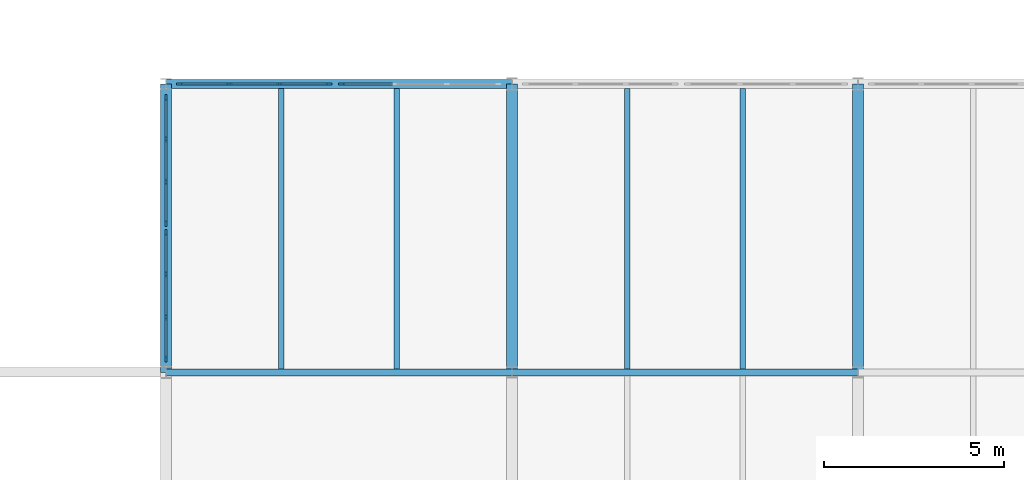
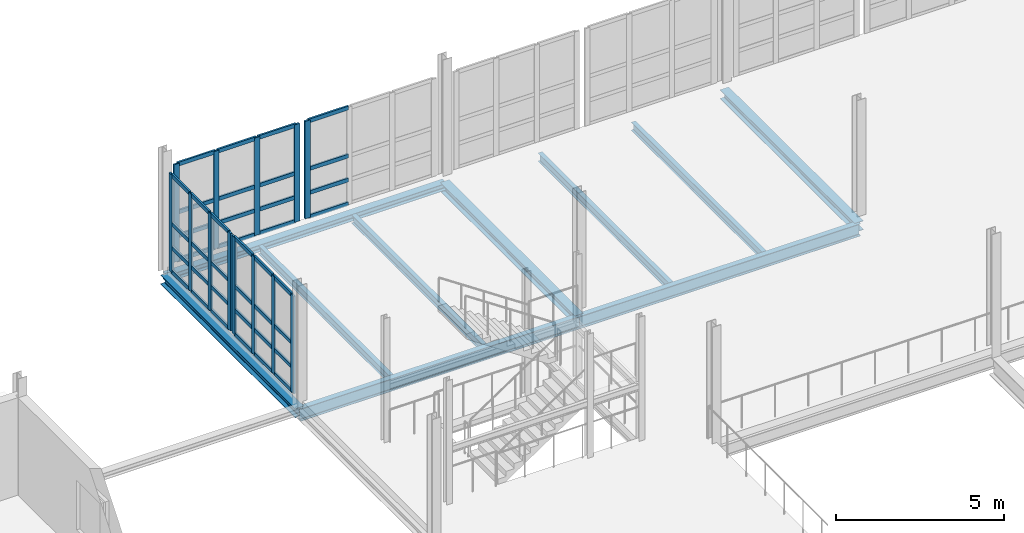
# One storey, part 33 of 73: 53 members, 10 beams, 4 elements without a shape of their own.
"""IFC4 building model written with IfcOpenShell, lengths in metres."""

from ifc_helpers import new_model, si_unit, direction, frame, origin, origin_2d, place, context, subcontext, project, spatial, rectangle, i_section, extrude, material, layer, layer_set, material_profile, profile_set, type_object, element, aggregate, save


model = new_model("IFC4")

# Units and contexts
model_context = context("Model", 3, precision=1e-05, world=origin(), true_north=direction((0.0, 1.0)))
body_context = subcontext(model_context, "Body", "Model", "MODEL_VIEW")
ifc_project = project(units=[si_unit("LENGTHUNIT", "METRE"), si_unit("AREAUNIT", "SQUARE_METRE"), si_unit("VOLUMEUNIT", "CUBIC_METRE"), si_unit("PLANEANGLEUNIT", "RADIAN"), si_unit("MASSUNIT", "GRAM", prefix="KILO")], contexts=[model_context])

# Site, building, storey
site_placement = place(None, origin())
site = spatial("IfcSite", under=ifc_project, at=site_placement, CompositionType="ELEMENT")
building_placement = place(site_placement, origin())
building = spatial("IfcBuilding", under=site, at=building_placement, Name="Alderhovde Museum", CompositionType="ELEMENT")
storey_placement = place(building_placement, frame((0.0, 0.0, 12.89990234375)))
storey = spatial("IfcBuildingStorey", under=building, at=storey_placement, Name="L03", CompositionType="ELEMENT", Elevation=12.89990234375)

# Beams
ifc_material_1 = material(Name="Steel S355J2", Category="steel")
ifc_material_profile_1 = material_profile(ifc_material_1, i_section(OverallWidth=0.300048828125, OverallDepth=0.330078125, WebThickness=0.009521484375, FlangeThickness=0.0166015625, FilletRadius=0.027099609375, at=origin_2d()), Name="HEA 340")
ifc_profile_set_1 = profile_set([ifc_material_profile_1], Name="Steel S355J2")
beam_type_1 = type_object("IfcBeamType", Name="BM-HEA340", PredefinedType="BEAM", material=ifc_profile_set_1)
for number, where, z_axis, x_axis, name in (
    (1, (76.800048828125, 80.0, -0.48486328125), (0.0, 1.0, 0.0), (-1.0, 0.0, 0.0), "L03 Grid Beam X=76.8 (80.0 TO 88.0)"),
    (2, (86.39990234375, 80.0, -0.48486328125), (0.0, 1.0, 0.0), (-1.0, 0.0, 0.0), "L03 Grid Beam X=86.4 (80.0 TO 88.0)"),
    (3, (96.0, 80.0, -0.48486328125), (0.0, 1.0, 0.0), (-1.0, 0.0, 0.0), "L03 Grid Beam X=96.0 (80.0 TO 88.0)"),
):
    element("IfcBeam", number, at=place(storey_placement, frame(where, z_axis=z_axis, x_axis=x_axis)), inside=storey, type_object=beam_type_1, Name=name, PredefinedType="BEAM", context=body_context, shape_type="SweptSolid", body=[
        extrude(i_section(OverallWidth=0.300048828125, OverallDepth=0.330078125, WebThickness=0.009521484375, FlangeThickness=0.0166015625, FilletRadius=0.027099609375, at=origin_2d()), origin(), (0.0, 0.0, 1.0), 8.0),
    ])
ifc_material_2 = material(Name="Steel S355J2", Category="steel")
ifc_material_profile_2 = material_profile(ifc_material_2, i_section(OverallWidth=0.18994140625, OverallDepth=0.449951171875, WebThickness=0.009521484375, FlangeThickness=0.0146484375, FilletRadius=0.02099609375, at=origin_2d()), Name="IPE 450")
ifc_profile_set_2 = profile_set([ifc_material_profile_2], Name="Steel S355J2")
beam_type_2 = type_object("IfcBeamType", Name="BM-IPE450", PredefinedType="BEAM", material=ifc_profile_set_2)
beam_1_placement = place(storey_placement, frame((76.800048828125, 80.0, -0.544921875), z_axis=(1.0, 0.0, 0.0), x_axis=(0.0, 1.0, 0.0)))
element("IfcBeam", 4, at=beam_1_placement, inside=storey, type_object=beam_type_2, Name="L03 Grid Beam Y=80.0 (76.8 TO 86.4)", PredefinedType="BEAM", context=body_context, shape_type="SweptSolid", body=[
    extrude(i_section(OverallWidth=0.18994140625, OverallDepth=0.449951171875, WebThickness=0.009521484375, FlangeThickness=0.0146484375, FilletRadius=0.02099609375, at=origin_2d()), origin(), (0.0, 0.0, 1.0), 9.599853515625),
])
beam_2_placement = place(storey_placement, frame((86.39990234375, 80.0, -0.544921875), z_axis=(1.0, 0.0, 0.0), x_axis=(0.0, 1.0, 0.0)))
element("IfcBeam", 5, at=beam_2_placement, inside=storey, type_object=beam_type_2, Name="L03 Grid Beam Y=80.0 (86.4 TO 96.0)", PredefinedType="BEAM", context=body_context, shape_type="SweptSolid", body=[
    extrude(i_section(OverallWidth=0.18994140625, OverallDepth=0.449951171875, WebThickness=0.009521484375, FlangeThickness=0.0146484375, FilletRadius=0.02099609375, at=origin_2d()), origin(), (0.0, 0.0, 1.0), 9.60009765625),
])

# Curtain wall, members
ifc_material_3 = material(Name="Triple-Glazed Bronze-Anodised Curtain Wall", Category="glass")
ifc_layer_1 = layer(ifc_material_3, 0.179931640625)
ifc_layer_set_1 = layer_set([ifc_layer_1], Name="Triple-Glazed Bronze-Anodised Curtain Wall")
curtain_wall_type_1 = type_object("IfcCurtainWallType", Name="CW-UNIT-420x354", PredefinedType="USERDEFINED", material=ifc_layer_set_1)
curtain_wall_1_placement = place(storey_placement, origin())
curtain_wall_1 = element("IfcCurtainWall", 6, at=curtain_wall_1_placement, inside=storey, type_object=curtain_wall_type_1, Name="L03 Unitised Curtain Wall 48", ObjectType="UNITISED CURTAIN WALL", PredefinedType="USERDEFINED")
ifc_material_4 = material(Name="Bronze-Anodised Aluminium EN AW-6063-T6", Category="aluminium")
ifc_material_profile_3 = material_profile(ifc_material_4, rectangle(XDim=0.06494140625, YDim=0.179931640625, at=origin_2d()), Name="MULLION 65x180")
ifc_profile_set_3 = profile_set([ifc_material_profile_3], Name="Bronze-Anodised Aluminium EN AW-6063-T6")
member_type_1 = type_object("IfcMemberType", Name="CWM-65x180", PredefinedType="MULLION", material=ifc_profile_set_3)
member_1_placement = place(storey_placement, frame((77.1826171875, 88.0, 0.0), z_axis=(0.0, 0.0, 1.0), x_axis=(0.0, 1.0, 0.0)))
member_1 = element("IfcMember", 7, at=member_1_placement, type_object=member_type_1, Name="CW15 mullion 1", PredefinedType="MULLION", context=body_context, shape_type="SweptSolid", body=[
    extrude(rectangle(XDim=0.06494140625, YDim=0.179931640625, at=origin_2d()), origin(), (0.0, 0.0, 1.0), 3.5400390625),
])
member_2_placement = place(storey_placement, frame((78.550048828125, 88.0, 0.0), z_axis=(0.0, 0.0, 1.0), x_axis=(0.0, 1.0, 0.0)))
member_2 = element("IfcMember", 8, at=member_2_placement, type_object=member_type_1, Name="CW15 mullion 2", PredefinedType="MULLION", context=body_context, shape_type="SweptSolid", body=[
    extrude(rectangle(XDim=0.06494140625, YDim=0.179931640625, at=origin_2d()), origin(), (0.0, 0.0, 1.0), 3.5400390625),
])
member_3_placement = place(storey_placement, frame((79.949951171875, 88.0, 0.0), z_axis=(0.0, 0.0, 1.0), x_axis=(0.0, 1.0, 0.0)))
member_3 = element("IfcMember", 9, at=member_3_placement, type_object=member_type_1, Name="CW15 mullion 3", PredefinedType="MULLION", context=body_context, shape_type="SweptSolid", body=[
    extrude(rectangle(XDim=0.06494140625, YDim=0.179931640625, at=origin_2d()), origin(), (0.0, 0.0, 1.0), 3.5400390625),
])
member_4_placement = place(storey_placement, frame((81.3173828125, 88.0, 0.0), z_axis=(0.0, 0.0, 1.0), x_axis=(0.0, 1.0, 0.0)))
member_4 = element("IfcMember", 10, at=member_4_placement, type_object=member_type_1, Name="CW15 mullion 4", PredefinedType="MULLION", context=body_context, shape_type="SweptSolid", body=[
    extrude(rectangle(XDim=0.06494140625, YDim=0.179931640625, at=origin_2d()), origin(), (0.0, 0.0, 1.0), 3.5400390625),
])

# Curtain wall, member
ifc_material_5 = material(Name="Triple-Glazed Bronze-Anodised Curtain Wall", Category="glass")
ifc_layer_2 = layer(ifc_material_5, 0.179931640625)
ifc_layer_set_2 = layer_set([ifc_layer_2], Name="Triple-Glazed Bronze-Anodised Curtain Wall")
curtain_wall_type_2 = type_object("IfcCurtainWallType", Name="CW-UNIT-440x354", PredefinedType="USERDEFINED", material=ifc_layer_set_2)
curtain_wall_2_placement = place(storey_placement, origin())
curtain_wall_2 = element("IfcCurtainWall", 11, at=curtain_wall_2_placement, inside=storey, type_object=curtain_wall_type_2, Name="L03 Unitised Curtain Wall 49", ObjectType="UNITISED CURTAIN WALL", PredefinedType="USERDEFINED")
member_5_placement = place(storey_placement, frame((81.6826171875, 88.0, 0.0), z_axis=(0.0, 0.0, 1.0), x_axis=(0.0, 1.0, 0.0)))
member_5 = element("IfcMember", 12, at=member_5_placement, type_object=member_type_1, Name="CW16 mullion 1", PredefinedType="MULLION", context=body_context, shape_type="SweptSolid", body=[
    extrude(rectangle(XDim=0.06494140625, YDim=0.179931640625, at=origin_2d()), origin(), (0.0, 0.0, 1.0), 3.5400390625),
])

# Curtain wall, members
ifc_material_6 = material(Name="Triple-Glazed Bronze-Anodised Curtain Wall", Category="glass")
ifc_layer_3 = layer(ifc_material_6, 0.179931640625)
ifc_layer_set_3 = layer_set([ifc_layer_3], Name="Triple-Glazed Bronze-Anodised Curtain Wall")
curtain_wall_type_3 = type_object("IfcCurtainWallType", Name="CW-STIC-355x354", PredefinedType="USERDEFINED", material=ifc_layer_set_3)
curtain_wall_3_placement = place(storey_placement, origin())
curtain_wall_3 = element("IfcCurtainWall", 13, at=curtain_wall_3_placement, inside=storey, type_object=curtain_wall_type_3, Name="L03 Stick Curtain Wall 66", ObjectType="STICK CURTAIN WALL", PredefinedType="USERDEFINED")
member_6_placement = place(storey_placement, frame((76.800048828125, 80.382568359375, 0.0), z_axis=(0.0, 0.0, 1.0), x_axis=(-1.0, 0.0, 0.0)))
member_6 = element("IfcMember", 14, at=member_6_placement, type_object=member_type_1, Name="CW18 mullion 1", PredefinedType="MULLION", context=body_context, shape_type="SweptSolid", body=[
    extrude(rectangle(XDim=0.06494140625, YDim=0.179931640625, at=origin_2d()), origin(), (0.0, 0.0, 1.0), 3.5400390625),
])
member_7_placement = place(storey_placement, frame((76.800048828125, 81.533447265625, 0.0), z_axis=(0.0, 0.0, 1.0), x_axis=(-1.0, 0.0, 0.0)))
member_7 = element("IfcMember", 15, at=member_7_placement, type_object=member_type_1, Name="CW18 mullion 2", PredefinedType="MULLION", context=body_context, shape_type="SweptSolid", body=[
    extrude(rectangle(XDim=0.06494140625, YDim=0.179931640625, at=origin_2d()), origin(), (0.0, 0.0, 1.0), 3.5400390625),
])
member_8_placement = place(storey_placement, frame((76.800048828125, 82.716552734375, 0.0), z_axis=(0.0, 0.0, 1.0), x_axis=(-1.0, 0.0, 0.0)))
member_8 = element("IfcMember", 16, at=member_8_placement, type_object=member_type_1, Name="CW18 mullion 3", PredefinedType="MULLION", context=body_context, shape_type="SweptSolid", body=[
    extrude(rectangle(XDim=0.06494140625, YDim=0.179931640625, at=origin_2d()), origin(), (0.0, 0.0, 1.0), 3.5400390625),
])
member_9_placement = place(storey_placement, frame((76.800048828125, 83.867431640625, 0.0), z_axis=(0.0, 0.0, 1.0), x_axis=(-1.0, 0.0, 0.0)))
member_9 = element("IfcMember", 17, at=member_9_placement, type_object=member_type_1, Name="CW18 mullion 4", PredefinedType="MULLION", context=body_context, shape_type="SweptSolid", body=[
    extrude(rectangle(XDim=0.06494140625, YDim=0.179931640625, at=origin_2d()), origin(), (0.0, 0.0, 1.0), 3.5400390625),
])

curtain_wall_4_placement = place(storey_placement, origin())
curtain_wall_4 = element("IfcCurtainWall", 18, at=curtain_wall_4_placement, inside=storey, type_object=curtain_wall_type_3, Name="L03 Stick Curtain Wall 67", ObjectType="STICK CURTAIN WALL", PredefinedType="USERDEFINED")
member_10_placement = place(storey_placement, frame((76.800048828125, 84.132568359375, 0.0), z_axis=(0.0, 0.0, 1.0), x_axis=(-1.0, 0.0, 0.0)))
member_10 = element("IfcMember", 19, at=member_10_placement, type_object=member_type_1, Name="CW18 mullion 1", PredefinedType="MULLION", context=body_context, shape_type="SweptSolid", body=[
    extrude(rectangle(XDim=0.06494140625, YDim=0.179931640625, at=origin_2d()), origin(), (0.0, 0.0, 1.0), 3.5400390625),
])
member_11_placement = place(storey_placement, frame((76.800048828125, 85.283447265625, 0.0), z_axis=(0.0, 0.0, 1.0), x_axis=(-1.0, 0.0, 0.0)))
member_11 = element("IfcMember", 20, at=member_11_placement, type_object=member_type_1, Name="CW18 mullion 2", PredefinedType="MULLION", context=body_context, shape_type="SweptSolid", body=[
    extrude(rectangle(XDim=0.06494140625, YDim=0.179931640625, at=origin_2d()), origin(), (0.0, 0.0, 1.0), 3.5400390625),
])
member_12_placement = place(storey_placement, frame((76.800048828125, 86.466552734375, 0.0), z_axis=(0.0, 0.0, 1.0), x_axis=(-1.0, 0.0, 0.0)))
member_12 = element("IfcMember", 21, at=member_12_placement, type_object=member_type_1, Name="CW18 mullion 3", PredefinedType="MULLION", context=body_context, shape_type="SweptSolid", body=[
    extrude(rectangle(XDim=0.06494140625, YDim=0.179931640625, at=origin_2d()), origin(), (0.0, 0.0, 1.0), 3.5400390625),
])
member_13_placement = place(storey_placement, frame((76.800048828125, 87.617431640625, 0.0), z_axis=(0.0, 0.0, 1.0), x_axis=(-1.0, 0.0, 0.0)))
member_13 = element("IfcMember", 22, at=member_13_placement, type_object=member_type_1, Name="CW18 mullion 4", PredefinedType="MULLION", context=body_context, shape_type="SweptSolid", body=[
    extrude(rectangle(XDim=0.06494140625, YDim=0.179931640625, at=origin_2d()), origin(), (0.0, 0.0, 1.0), 3.5400390625),
])

# Member
ifc_material_7 = material(Name="Bronze-Anodised Aluminium EN AW-6063-T6", Category="aluminium")
ifc_material_profile_4 = material_profile(ifc_material_7, rectangle(XDim=0.06494140625, YDim=0.139892578125, at=origin_2d()), Name="TRANSOM 65x140")
ifc_profile_set_4 = profile_set([ifc_material_profile_4], Name="Bronze-Anodised Aluminium EN AW-6063-T6")
member_type_2 = type_object("IfcMemberType", Name="CWT-65x140", PredefinedType="USERDEFINED", material=ifc_profile_set_4)
member_14_placement = place(storey_placement, frame((77.215087890625, 88.0, 0.03271484375), z_axis=(1.0, 0.0, 0.0), x_axis=(0.0, 1.0, 0.0)))
member_14 = element("IfcMember", 23, at=member_14_placement, type_object=member_type_2, Name="CW15 transom 1.1", ObjectType="TRANSOM", PredefinedType="USERDEFINED", context=body_context, shape_type="SweptSolid", body=[
    extrude(rectangle(XDim=0.06494140625, YDim=0.139892578125, at=origin_2d()), origin(), (0.0, 0.0, 1.0), 1.302490234375),
])

member_15_placement = place(storey_placement, frame((77.215087890625, 88.0, 0.900146484375), z_axis=(1.0, 0.0, 0.0), x_axis=(0.0, 1.0, 0.0)))
member_15 = element("IfcMember", 24, at=member_15_placement, type_object=member_type_2, Name="CW15 transom 1.2", ObjectType="TRANSOM", PredefinedType="USERDEFINED", context=body_context, shape_type="SweptSolid", body=[
    extrude(rectangle(XDim=0.06494140625, YDim=0.139892578125, at=origin_2d()), origin(), (0.0, 0.0, 1.0), 1.302490234375),
])

member_16_placement = place(storey_placement, frame((77.215087890625, 88.0, 1.77001953125), z_axis=(1.0, 0.0, 0.0), x_axis=(0.0, 1.0, 0.0)))
member_16 = element("IfcMember", 25, at=member_16_placement, type_object=member_type_2, Name="CW15 transom 1.3", ObjectType="TRANSOM", PredefinedType="USERDEFINED", context=body_context, shape_type="SweptSolid", body=[
    extrude(rectangle(XDim=0.06494140625, YDim=0.139892578125, at=origin_2d()), origin(), (0.0, 0.0, 1.0), 1.302490234375),
])

member_17_placement = place(storey_placement, frame((77.215087890625, 88.0, 3.507568359375), z_axis=(1.0, 0.0, 0.0), x_axis=(0.0, 1.0, 0.0)))
member_17 = element("IfcMember", 26, at=member_17_placement, type_object=member_type_2, Name="CW15 transom 1.4", ObjectType="TRANSOM", PredefinedType="USERDEFINED", context=body_context, shape_type="SweptSolid", body=[
    extrude(rectangle(XDim=0.06494140625, YDim=0.139892578125, at=origin_2d()), origin(), (0.0, 0.0, 1.0), 1.302490234375),
])

member_18_placement = place(storey_placement, frame((78.58251953125, 88.0, 0.03271484375), z_axis=(1.0, 0.0, 0.0), x_axis=(0.0, 1.0, 0.0)))
member_18 = element("IfcMember", 27, at=member_18_placement, type_object=member_type_2, Name="CW15 transom 2.1", ObjectType="TRANSOM", PredefinedType="USERDEFINED", context=body_context, shape_type="SweptSolid", body=[
    extrude(rectangle(XDim=0.06494140625, YDim=0.139892578125, at=origin_2d()), origin(), (0.0, 0.0, 1.0), 1.3349609375),
])

member_19_placement = place(storey_placement, frame((78.58251953125, 88.0, 0.900146484375), z_axis=(1.0, 0.0, 0.0), x_axis=(0.0, 1.0, 0.0)))
member_19 = element("IfcMember", 28, at=member_19_placement, type_object=member_type_2, Name="CW15 transom 2.2", ObjectType="TRANSOM", PredefinedType="USERDEFINED", context=body_context, shape_type="SweptSolid", body=[
    extrude(rectangle(XDim=0.06494140625, YDim=0.139892578125, at=origin_2d()), origin(), (0.0, 0.0, 1.0), 1.3349609375),
])

member_20_placement = place(storey_placement, frame((78.58251953125, 88.0, 1.77001953125), z_axis=(1.0, 0.0, 0.0), x_axis=(0.0, 1.0, 0.0)))
member_20 = element("IfcMember", 29, at=member_20_placement, type_object=member_type_2, Name="CW15 transom 2.3", ObjectType="TRANSOM", PredefinedType="USERDEFINED", context=body_context, shape_type="SweptSolid", body=[
    extrude(rectangle(XDim=0.06494140625, YDim=0.139892578125, at=origin_2d()), origin(), (0.0, 0.0, 1.0), 1.3349609375),
])

member_21_placement = place(storey_placement, frame((78.58251953125, 88.0, 3.507568359375), z_axis=(1.0, 0.0, 0.0), x_axis=(0.0, 1.0, 0.0)))
member_21 = element("IfcMember", 30, at=member_21_placement, type_object=member_type_2, Name="CW15 transom 2.4", ObjectType="TRANSOM", PredefinedType="USERDEFINED", context=body_context, shape_type="SweptSolid", body=[
    extrude(rectangle(XDim=0.06494140625, YDim=0.139892578125, at=origin_2d()), origin(), (0.0, 0.0, 1.0), 1.3349609375),
])

member_22_placement = place(storey_placement, frame((79.982421875, 88.0, 0.03271484375), z_axis=(1.0, 0.0, 0.0), x_axis=(0.0, 1.0, 0.0)))
member_22 = element("IfcMember", 31, at=member_22_placement, type_object=member_type_2, Name="CW15 transom 3.1", ObjectType="TRANSOM", PredefinedType="USERDEFINED", context=body_context, shape_type="SweptSolid", body=[
    extrude(rectangle(XDim=0.06494140625, YDim=0.139892578125, at=origin_2d()), origin(), (0.0, 0.0, 1.0), 1.302490234375),
])

member_23_placement = place(storey_placement, frame((79.982421875, 88.0, 0.900146484375), z_axis=(1.0, 0.0, 0.0), x_axis=(0.0, 1.0, 0.0)))
member_23 = element("IfcMember", 32, at=member_23_placement, type_object=member_type_2, Name="CW15 transom 3.2", ObjectType="TRANSOM", PredefinedType="USERDEFINED", context=body_context, shape_type="SweptSolid", body=[
    extrude(rectangle(XDim=0.06494140625, YDim=0.139892578125, at=origin_2d()), origin(), (0.0, 0.0, 1.0), 1.302490234375),
])

member_24_placement = place(storey_placement, frame((79.982421875, 88.0, 1.77001953125), z_axis=(1.0, 0.0, 0.0), x_axis=(0.0, 1.0, 0.0)))
member_24 = element("IfcMember", 33, at=member_24_placement, type_object=member_type_2, Name="CW15 transom 3.3", ObjectType="TRANSOM", PredefinedType="USERDEFINED", context=body_context, shape_type="SweptSolid", body=[
    extrude(rectangle(XDim=0.06494140625, YDim=0.139892578125, at=origin_2d()), origin(), (0.0, 0.0, 1.0), 1.302490234375),
])

member_25_placement = place(storey_placement, frame((79.982421875, 88.0, 3.507568359375), z_axis=(1.0, 0.0, 0.0), x_axis=(0.0, 1.0, 0.0)))
member_25 = element("IfcMember", 34, at=member_25_placement, type_object=member_type_2, Name="CW15 transom 3.4", ObjectType="TRANSOM", PredefinedType="USERDEFINED", context=body_context, shape_type="SweptSolid", body=[
    extrude(rectangle(XDim=0.06494140625, YDim=0.139892578125, at=origin_2d()), origin(), (0.0, 0.0, 1.0), 1.302490234375),
])

aggregate(curtain_wall_1, [member_1, member_2, member_3, member_4, member_14, member_15, member_16, member_17, member_18, member_19, member_20, member_21, member_22, member_23, member_24, member_25])

member_26_placement = place(storey_placement, frame((81.715087890625, 88.0, 0.03271484375), z_axis=(1.0, 0.0, 0.0), x_axis=(0.0, 1.0, 0.0)))
member_26 = element("IfcMember", 35, at=member_26_placement, type_object=member_type_2, Name="CW16 transom 1.1", ObjectType="TRANSOM", PredefinedType="USERDEFINED", context=body_context, shape_type="SweptSolid", body=[
    extrude(rectangle(XDim=0.06494140625, YDim=0.139892578125, at=origin_2d()), origin(), (0.0, 0.0, 1.0), 1.369140625),
])

member_27_placement = place(storey_placement, frame((81.715087890625, 88.0, 0.900146484375), z_axis=(1.0, 0.0, 0.0), x_axis=(0.0, 1.0, 0.0)))
member_27 = element("IfcMember", 36, at=member_27_placement, type_object=member_type_2, Name="CW16 transom 1.2", ObjectType="TRANSOM", PredefinedType="USERDEFINED", context=body_context, shape_type="SweptSolid", body=[
    extrude(rectangle(XDim=0.06494140625, YDim=0.139892578125, at=origin_2d()), origin(), (0.0, 0.0, 1.0), 1.369140625),
])

member_28_placement = place(storey_placement, frame((81.715087890625, 88.0, 1.77001953125), z_axis=(1.0, 0.0, 0.0), x_axis=(0.0, 1.0, 0.0)))
member_28 = element("IfcMember", 37, at=member_28_placement, type_object=member_type_2, Name="CW16 transom 1.3", ObjectType="TRANSOM", PredefinedType="USERDEFINED", context=body_context, shape_type="SweptSolid", body=[
    extrude(rectangle(XDim=0.06494140625, YDim=0.139892578125, at=origin_2d()), origin(), (0.0, 0.0, 1.0), 1.369140625),
])

member_29_placement = place(storey_placement, frame((81.715087890625, 88.0, 3.507568359375), z_axis=(1.0, 0.0, 0.0), x_axis=(0.0, 1.0, 0.0)))
member_29 = element("IfcMember", 38, at=member_29_placement, type_object=member_type_2, Name="CW16 transom 1.4", ObjectType="TRANSOM", PredefinedType="USERDEFINED", context=body_context, shape_type="SweptSolid", body=[
    extrude(rectangle(XDim=0.06494140625, YDim=0.139892578125, at=origin_2d()), origin(), (0.0, 0.0, 1.0), 1.369140625),
])

aggregate(curtain_wall_2, [member_5, member_26, member_27, member_28, member_29])

member_30_placement = place(storey_placement, frame((76.800048828125, 80.4150390625, 0.03271484375), z_axis=(0.0, 1.0, 0.0), x_axis=(-1.0, 0.0, 0.0)))
member_30 = element("IfcMember", 39, at=member_30_placement, type_object=member_type_2, Name="CW18 transom 1.1", ObjectType="TRANSOM", PredefinedType="USERDEFINED", context=body_context, shape_type="SweptSolid", body=[
    extrude(rectangle(XDim=0.06494140625, YDim=0.139892578125, at=origin_2d()), origin(), (0.0, 0.0, 1.0), 1.085693359375),
])

member_31_placement = place(storey_placement, frame((76.800048828125, 80.4150390625, 0.900146484375), z_axis=(0.0, 1.0, 0.0), x_axis=(-1.0, 0.0, 0.0)))
member_31 = element("IfcMember", 40, at=member_31_placement, type_object=member_type_2, Name="CW18 transom 1.2", ObjectType="TRANSOM", PredefinedType="USERDEFINED", context=body_context, shape_type="SweptSolid", body=[
    extrude(rectangle(XDim=0.06494140625, YDim=0.139892578125, at=origin_2d()), origin(), (0.0, 0.0, 1.0), 1.085693359375),
])

member_32_placement = place(storey_placement, frame((76.800048828125, 80.4150390625, 1.77001953125), z_axis=(0.0, 1.0, 0.0), x_axis=(-1.0, 0.0, 0.0)))
member_32 = element("IfcMember", 41, at=member_32_placement, type_object=member_type_2, Name="CW18 transom 1.3", ObjectType="TRANSOM", PredefinedType="USERDEFINED", context=body_context, shape_type="SweptSolid", body=[
    extrude(rectangle(XDim=0.06494140625, YDim=0.139892578125, at=origin_2d()), origin(), (0.0, 0.0, 1.0), 1.085693359375),
])

member_33_placement = place(storey_placement, frame((76.800048828125, 80.4150390625, 3.507568359375), z_axis=(0.0, 1.0, 0.0), x_axis=(-1.0, 0.0, 0.0)))
member_33 = element("IfcMember", 42, at=member_33_placement, type_object=member_type_2, Name="CW18 transom 1.4", ObjectType="TRANSOM", PredefinedType="USERDEFINED", context=body_context, shape_type="SweptSolid", body=[
    extrude(rectangle(XDim=0.06494140625, YDim=0.139892578125, at=origin_2d()), origin(), (0.0, 0.0, 1.0), 1.085693359375),
])

member_34_placement = place(storey_placement, frame((76.800048828125, 81.56591796875, 0.03271484375), z_axis=(0.0, 1.0, 0.0), x_axis=(-1.0, 0.0, 0.0)))
member_34 = element("IfcMember", 43, at=member_34_placement, type_object=member_type_2, Name="CW18 transom 2.1", ObjectType="TRANSOM", PredefinedType="USERDEFINED", context=body_context, shape_type="SweptSolid", body=[
    extrude(rectangle(XDim=0.06494140625, YDim=0.139892578125, at=origin_2d()), origin(), (0.0, 0.0, 1.0), 1.1181640625),
])

member_35_placement = place(storey_placement, frame((76.800048828125, 81.56591796875, 0.900146484375), z_axis=(0.0, 1.0, 0.0), x_axis=(-1.0, 0.0, 0.0)))
member_35 = element("IfcMember", 44, at=member_35_placement, type_object=member_type_2, Name="CW18 transom 2.2", ObjectType="TRANSOM", PredefinedType="USERDEFINED", context=body_context, shape_type="SweptSolid", body=[
    extrude(rectangle(XDim=0.06494140625, YDim=0.139892578125, at=origin_2d()), origin(), (0.0, 0.0, 1.0), 1.1181640625),
])

member_36_placement = place(storey_placement, frame((76.800048828125, 81.56591796875, 1.77001953125), z_axis=(0.0, 1.0, 0.0), x_axis=(-1.0, 0.0, 0.0)))
member_36 = element("IfcMember", 45, at=member_36_placement, type_object=member_type_2, Name="CW18 transom 2.3", ObjectType="TRANSOM", PredefinedType="USERDEFINED", context=body_context, shape_type="SweptSolid", body=[
    extrude(rectangle(XDim=0.06494140625, YDim=0.139892578125, at=origin_2d()), origin(), (0.0, 0.0, 1.0), 1.1181640625),
])

member_37_placement = place(storey_placement, frame((76.800048828125, 81.56591796875, 3.507568359375), z_axis=(0.0, 1.0, 0.0), x_axis=(-1.0, 0.0, 0.0)))
member_37 = element("IfcMember", 46, at=member_37_placement, type_object=member_type_2, Name="CW18 transom 2.4", ObjectType="TRANSOM", PredefinedType="USERDEFINED", context=body_context, shape_type="SweptSolid", body=[
    extrude(rectangle(XDim=0.06494140625, YDim=0.139892578125, at=origin_2d()), origin(), (0.0, 0.0, 1.0), 1.1181640625),
])

member_38_placement = place(storey_placement, frame((76.800048828125, 82.749267578125, 0.03271484375), z_axis=(0.0, 1.0, 0.0), x_axis=(-1.0, 0.0, 0.0)))
member_38 = element("IfcMember", 47, at=member_38_placement, type_object=member_type_2, Name="CW18 transom 3.1", ObjectType="TRANSOM", PredefinedType="USERDEFINED", context=body_context, shape_type="SweptSolid", body=[
    extrude(rectangle(XDim=0.06494140625, YDim=0.139892578125, at=origin_2d()), origin(), (0.0, 0.0, 1.0), 1.085693359375),
])

member_39_placement = place(storey_placement, frame((76.800048828125, 82.749267578125, 0.900146484375), z_axis=(0.0, 1.0, 0.0), x_axis=(-1.0, 0.0, 0.0)))
member_39 = element("IfcMember", 48, at=member_39_placement, type_object=member_type_2, Name="CW18 transom 3.2", ObjectType="TRANSOM", PredefinedType="USERDEFINED", context=body_context, shape_type="SweptSolid", body=[
    extrude(rectangle(XDim=0.06494140625, YDim=0.139892578125, at=origin_2d()), origin(), (0.0, 0.0, 1.0), 1.085693359375),
])

member_40_placement = place(storey_placement, frame((76.800048828125, 82.749267578125, 1.77001953125), z_axis=(0.0, 1.0, 0.0), x_axis=(-1.0, 0.0, 0.0)))
member_40 = element("IfcMember", 49, at=member_40_placement, type_object=member_type_2, Name="CW18 transom 3.3", ObjectType="TRANSOM", PredefinedType="USERDEFINED", context=body_context, shape_type="SweptSolid", body=[
    extrude(rectangle(XDim=0.06494140625, YDim=0.139892578125, at=origin_2d()), origin(), (0.0, 0.0, 1.0), 1.085693359375),
])

member_41_placement = place(storey_placement, frame((76.800048828125, 82.749267578125, 3.507568359375), z_axis=(0.0, 1.0, 0.0), x_axis=(-1.0, 0.0, 0.0)))
member_41 = element("IfcMember", 50, at=member_41_placement, type_object=member_type_2, Name="CW18 transom 3.4", ObjectType="TRANSOM", PredefinedType="USERDEFINED", context=body_context, shape_type="SweptSolid", body=[
    extrude(rectangle(XDim=0.06494140625, YDim=0.139892578125, at=origin_2d()), origin(), (0.0, 0.0, 1.0), 1.085693359375),
])

aggregate(curtain_wall_3, [member_6, member_7, member_8, member_9, member_30, member_31, member_32, member_33, member_34, member_35, member_36, member_37, member_38, member_39, member_40, member_41])

member_42_placement = place(storey_placement, frame((76.800048828125, 84.1650390625, 0.03271484375), z_axis=(0.0, 1.0, 0.0), x_axis=(-1.0, 0.0, 0.0)))
member_42 = element("IfcMember", 51, at=member_42_placement, type_object=member_type_2, Name="CW18 transom 1.1", ObjectType="TRANSOM", PredefinedType="USERDEFINED", context=body_context, shape_type="SweptSolid", body=[
    extrude(rectangle(XDim=0.06494140625, YDim=0.139892578125, at=origin_2d()), origin(), (0.0, 0.0, 1.0), 1.085693359375),
])

member_43_placement = place(storey_placement, frame((76.800048828125, 84.1650390625, 0.900146484375), z_axis=(0.0, 1.0, 0.0), x_axis=(-1.0, 0.0, 0.0)))
member_43 = element("IfcMember", 52, at=member_43_placement, type_object=member_type_2, Name="CW18 transom 1.2", ObjectType="TRANSOM", PredefinedType="USERDEFINED", context=body_context, shape_type="SweptSolid", body=[
    extrude(rectangle(XDim=0.06494140625, YDim=0.139892578125, at=origin_2d()), origin(), (0.0, 0.0, 1.0), 1.085693359375),
])

member_44_placement = place(storey_placement, frame((76.800048828125, 84.1650390625, 1.77001953125), z_axis=(0.0, 1.0, 0.0), x_axis=(-1.0, 0.0, 0.0)))
member_44 = element("IfcMember", 53, at=member_44_placement, type_object=member_type_2, Name="CW18 transom 1.3", ObjectType="TRANSOM", PredefinedType="USERDEFINED", context=body_context, shape_type="SweptSolid", body=[
    extrude(rectangle(XDim=0.06494140625, YDim=0.139892578125, at=origin_2d()), origin(), (0.0, 0.0, 1.0), 1.085693359375),
])

member_45_placement = place(storey_placement, frame((76.800048828125, 84.1650390625, 3.507568359375), z_axis=(0.0, 1.0, 0.0), x_axis=(-1.0, 0.0, 0.0)))
member_45 = element("IfcMember", 54, at=member_45_placement, type_object=member_type_2, Name="CW18 transom 1.4", ObjectType="TRANSOM", PredefinedType="USERDEFINED", context=body_context, shape_type="SweptSolid", body=[
    extrude(rectangle(XDim=0.06494140625, YDim=0.139892578125, at=origin_2d()), origin(), (0.0, 0.0, 1.0), 1.085693359375),
])

member_46_placement = place(storey_placement, frame((76.800048828125, 85.31591796875, 0.03271484375), z_axis=(0.0, 1.0, 0.0), x_axis=(-1.0, 0.0, 0.0)))
member_46 = element("IfcMember", 55, at=member_46_placement, type_object=member_type_2, Name="CW18 transom 2.1", ObjectType="TRANSOM", PredefinedType="USERDEFINED", context=body_context, shape_type="SweptSolid", body=[
    extrude(rectangle(XDim=0.06494140625, YDim=0.139892578125, at=origin_2d()), origin(), (0.0, 0.0, 1.0), 1.1181640625),
])

member_47_placement = place(storey_placement, frame((76.800048828125, 85.31591796875, 0.900146484375), z_axis=(0.0, 1.0, 0.0), x_axis=(-1.0, 0.0, 0.0)))
member_47 = element("IfcMember", 56, at=member_47_placement, type_object=member_type_2, Name="CW18 transom 2.2", ObjectType="TRANSOM", PredefinedType="USERDEFINED", context=body_context, shape_type="SweptSolid", body=[
    extrude(rectangle(XDim=0.06494140625, YDim=0.139892578125, at=origin_2d()), origin(), (0.0, 0.0, 1.0), 1.1181640625),
])

member_48_placement = place(storey_placement, frame((76.800048828125, 85.31591796875, 1.77001953125), z_axis=(0.0, 1.0, 0.0), x_axis=(-1.0, 0.0, 0.0)))
member_48 = element("IfcMember", 57, at=member_48_placement, type_object=member_type_2, Name="CW18 transom 2.3", ObjectType="TRANSOM", PredefinedType="USERDEFINED", context=body_context, shape_type="SweptSolid", body=[
    extrude(rectangle(XDim=0.06494140625, YDim=0.139892578125, at=origin_2d()), origin(), (0.0, 0.0, 1.0), 1.1181640625),
])

member_49_placement = place(storey_placement, frame((76.800048828125, 85.31591796875, 3.507568359375), z_axis=(0.0, 1.0, 0.0), x_axis=(-1.0, 0.0, 0.0)))
member_49 = element("IfcMember", 58, at=member_49_placement, type_object=member_type_2, Name="CW18 transom 2.4", ObjectType="TRANSOM", PredefinedType="USERDEFINED", context=body_context, shape_type="SweptSolid", body=[
    extrude(rectangle(XDim=0.06494140625, YDim=0.139892578125, at=origin_2d()), origin(), (0.0, 0.0, 1.0), 1.1181640625),
])

member_50_placement = place(storey_placement, frame((76.800048828125, 86.499267578125, 0.03271484375), z_axis=(0.0, 1.0, 0.0), x_axis=(-1.0, 0.0, 0.0)))
member_50 = element("IfcMember", 59, at=member_50_placement, type_object=member_type_2, Name="CW18 transom 3.1", ObjectType="TRANSOM", PredefinedType="USERDEFINED", context=body_context, shape_type="SweptSolid", body=[
    extrude(rectangle(XDim=0.06494140625, YDim=0.139892578125, at=origin_2d()), origin(), (0.0, 0.0, 1.0), 1.085693359375),
])

member_51_placement = place(storey_placement, frame((76.800048828125, 86.499267578125, 0.900146484375), z_axis=(0.0, 1.0, 0.0), x_axis=(-1.0, 0.0, 0.0)))
member_51 = element("IfcMember", 60, at=member_51_placement, type_object=member_type_2, Name="CW18 transom 3.2", ObjectType="TRANSOM", PredefinedType="USERDEFINED", context=body_context, shape_type="SweptSolid", body=[
    extrude(rectangle(XDim=0.06494140625, YDim=0.139892578125, at=origin_2d()), origin(), (0.0, 0.0, 1.0), 1.085693359375),
])

member_52_placement = place(storey_placement, frame((76.800048828125, 86.499267578125, 1.77001953125), z_axis=(0.0, 1.0, 0.0), x_axis=(-1.0, 0.0, 0.0)))
member_52 = element("IfcMember", 61, at=member_52_placement, type_object=member_type_2, Name="CW18 transom 3.3", ObjectType="TRANSOM", PredefinedType="USERDEFINED", context=body_context, shape_type="SweptSolid", body=[
    extrude(rectangle(XDim=0.06494140625, YDim=0.139892578125, at=origin_2d()), origin(), (0.0, 0.0, 1.0), 1.085693359375),
])

member_53_placement = place(storey_placement, frame((76.800048828125, 86.499267578125, 3.507568359375), z_axis=(0.0, 1.0, 0.0), x_axis=(-1.0, 0.0, 0.0)))
member_53 = element("IfcMember", 62, at=member_53_placement, type_object=member_type_2, Name="CW18 transom 3.4", ObjectType="TRANSOM", PredefinedType="USERDEFINED", context=body_context, shape_type="SweptSolid", body=[
    extrude(rectangle(XDim=0.06494140625, YDim=0.139892578125, at=origin_2d()), origin(), (0.0, 0.0, 1.0), 1.085693359375),
])

aggregate(curtain_wall_4, [member_10, member_11, member_12, member_13, member_42, member_43, member_44, member_45, member_46, member_47, member_48, member_49, member_50, member_51, member_52, member_53])

# Beams
ifc_material_8 = material(Name="Steel S355J2", Category="steel")
ifc_material_profile_5 = material_profile(ifc_material_8, i_section(OverallWidth=0.14990234375, OverallDepth=0.300048828125, WebThickness=0.007080078125, FlangeThickness=0.0107421875, FilletRadius=0.014892578125, at=origin_2d()), Name="IPE 300")
ifc_profile_set_5 = profile_set([ifc_material_profile_5], Name="Steel S355J2")
beam_type_3 = type_object("IfcBeamType", Name="JST-IPE300", PredefinedType="JOIST", material=ifc_profile_set_5)
for number, where, z_axis, x_axis, name in (
    (63, (80.0, 80.094970703125, -0.469970703125), (0.0, 1.0, 0.0), (-1.0, 0.0, 0.0), "L03 Composite Joist X=80.0 (80.0 TO 88.0)"),
    (64, (83.199951171875, 80.094970703125, -0.469970703125), (0.0, 1.0, 0.0), (-1.0, 0.0, 0.0), "L03 Composite Joist X=83.2 (80.0 TO 88.0)"),
    (65, (89.60009765625, 80.094970703125, -0.469970703125), (0.0, 1.0, 0.0), (-1.0, 0.0, 0.0), "L03 Composite Joist X=89.6 (80.0 TO 88.0)"),
    (66, (92.800048828125, 80.094970703125, -0.469970703125), (0.0, 1.0, 0.0), (-1.0, 0.0, 0.0), "L03 Composite Joist X=92.8 (80.0 TO 88.0)"),
):
    element("IfcBeam", number, at=place(storey_placement, frame(where, z_axis=z_axis, x_axis=x_axis)), inside=storey, type_object=beam_type_3, Name=name, PredefinedType="JOIST", context=body_context, shape_type="SweptSolid", body=[
        extrude(i_section(OverallWidth=0.14990234375, OverallDepth=0.300048828125, WebThickness=0.007080078125, FlangeThickness=0.0107421875, FilletRadius=0.014892578125, at=origin_2d()), origin(), (0.0, 0.0, 1.0), 7.775146484375),
    ])
ifc_material_9 = material(Name="Steel S355J2", Category="steel")
ifc_material_profile_6 = material_profile(ifc_material_9, i_section(OverallWidth=0.260009765625, OverallDepth=0.25, WebThickness=0.007568359375, FlangeThickness=0.012451171875, FilletRadius=0.02392578125, at=origin_2d()), Name="HEA 260")
ifc_profile_set_6 = profile_set([ifc_material_profile_6], Name="Steel S355J2")
beam_type_4 = type_object("IfcBeamType", Name="SPD-HEA260", PredefinedType="SPANDREL", material=ifc_profile_set_6)
beam_3_placement = place(storey_placement, frame((76.800048828125, 88.0, -0.44482421875), z_axis=(1.0, 0.0, 0.0), x_axis=(0.0, 1.0, 0.0)))
element("IfcBeam", 67, at=beam_3_placement, inside=storey, type_object=beam_type_4, Name="L03 Grid Beam Y=88.0 (76.8 TO 86.4)", PredefinedType="SPANDREL", context=body_context, shape_type="SweptSolid", body=[
    extrude(i_section(OverallWidth=0.260009765625, OverallDepth=0.25, WebThickness=0.007568359375, FlangeThickness=0.012451171875, FilletRadius=0.02392578125, at=origin_2d()), origin(), (0.0, 0.0, 1.0), 9.599853515625),
])

save(model, "model.ifc")
